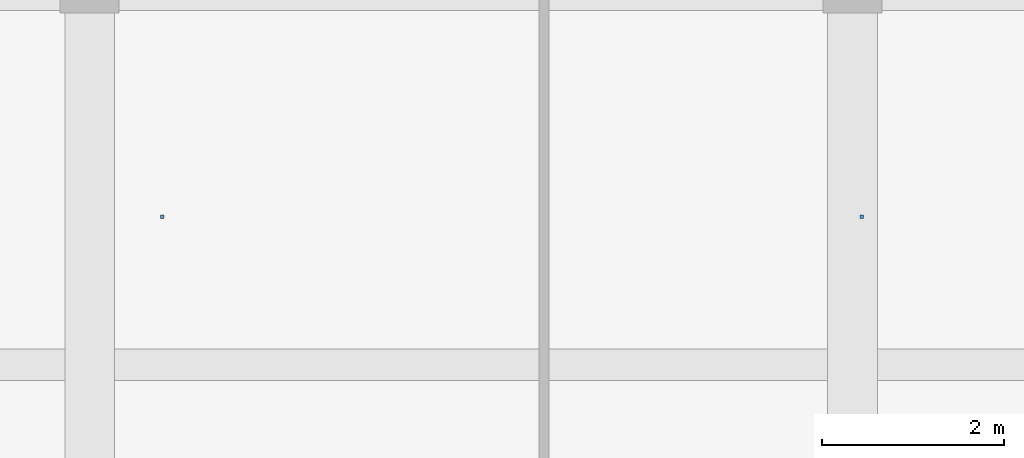
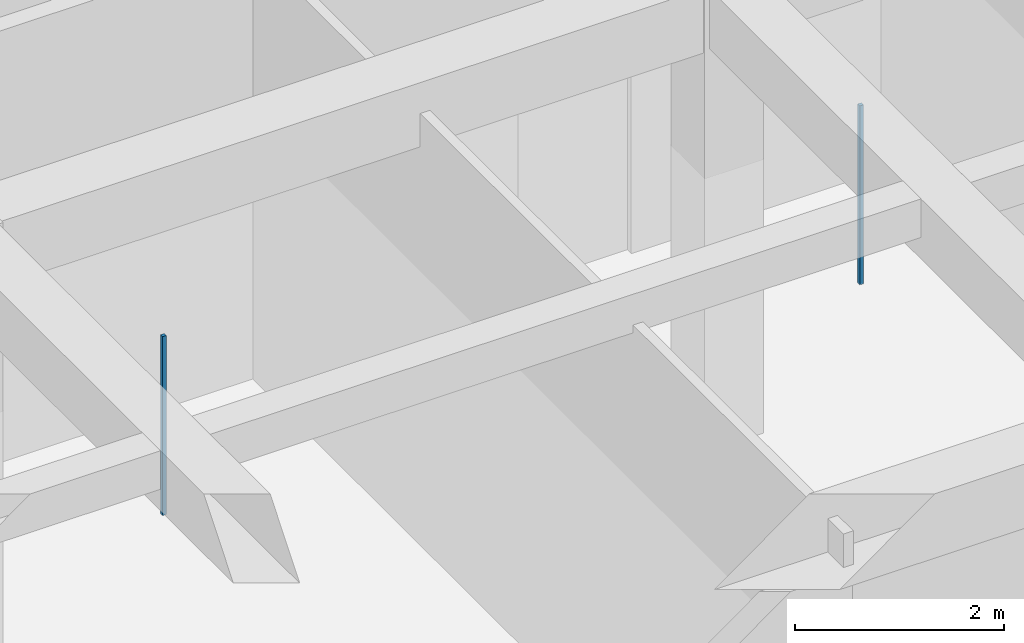
# One storey, part 109 of 167: 2 discrete accessories.
"""IFC4 building model written with IfcOpenShell, lengths in metres."""

from ifc_helpers import new_model, si_unit, direction, frame, origin, origin_2d, place, context, subcontext, project, spatial, rectangle, extrude, material, type_object, element, save


model = new_model("IFC4")

# Units and contexts
model_context = context("Model", 3, precision=1e-05, world=origin(), true_north=direction((0.0, 1.0)))
body_context = subcontext(model_context, "Body", "Model", "MODEL_VIEW")
ifc_project = project(units=[si_unit("LENGTHUNIT", "METRE"), si_unit("AREAUNIT", "SQUARE_METRE"), si_unit("VOLUMEUNIT", "CUBIC_METRE"), si_unit("PLANEANGLEUNIT", "RADIAN"), si_unit("MASSUNIT", "GRAM", prefix="KILO")], contexts=[model_context])

# Site, building, storey
site_placement = place(None, origin())
site = spatial("IfcSite", under=ifc_project, at=site_placement, CompositionType="ELEMENT")
building_placement = place(site_placement, origin())
building = spatial("IfcBuilding", under=site, at=building_placement, Name="Varncliffe General Hospital", CompositionType="ELEMENT")
storey_placement = place(building_placement, origin())
storey = spatial("IfcBuildingStorey", under=building, at=storey_placement, Name="L00", CompositionType="ELEMENT", Elevation=0.0)

# Discrete accessories
ifc_material = material(Name="Powder-coated hospital steel guardrail and handrail", Category="steel")
discrete_accessory_type = type_object("IfcDiscreteAccessoryType", Name="Suspended Ceiling Hanger Bracket CH01", PredefinedType="BRACKET", material=ifc_material)
for number, where, z_axis, x_axis, name in (
    (1, (84.800048828125, 80.22998046875, 3.18994140625), (0.0, 0.0, 1.0), (1.0, 0.0, 0.0), "L00 Suspended Ceiling Hanger 45"),
    (2, (92.5, 80.22998046875, 3.18994140625), (0.0, 0.0, 1.0), (1.0, 0.0, 0.0), "L00 Suspended Ceiling Hanger 46"),
):
    element("IfcDiscreteAccessory", number, at=place(storey_placement, frame(where, z_axis=z_axis, x_axis=x_axis)), inside=storey, type_object=discrete_accessory_type, Name=name, PredefinedType="BRACKET", context=body_context, shape_type="SweptSolid", body=[
        extrude(rectangle(XDim=0.0400390625, YDim=0.0400390625, at=origin_2d()), origin(), (0.0, 0.0, 1.0), 2.090087890625),
    ])

save(model, "model.ifc")
